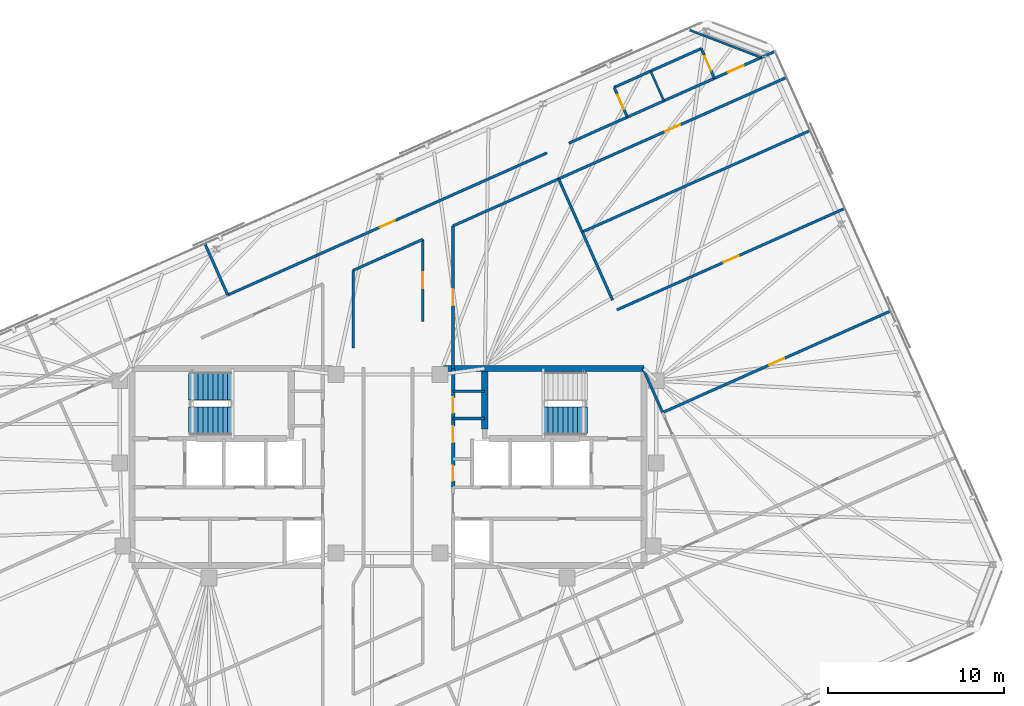
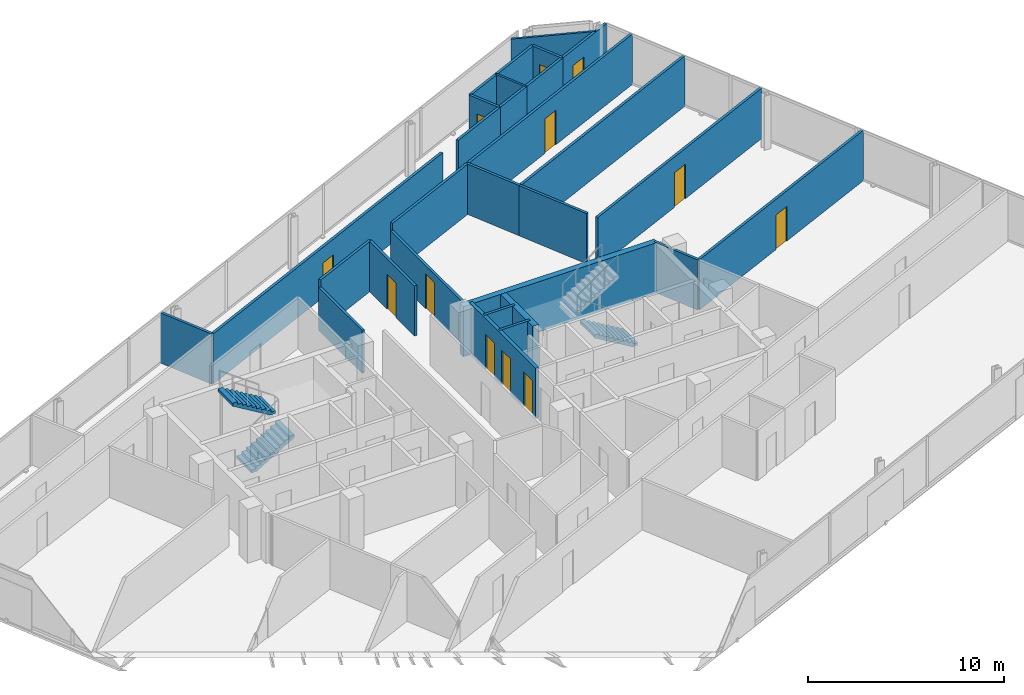
# One storey, part 16 of 18: 29 walls, 12 doors, 3 stair flights, 12 openings, 2 elements without a shape of their own.
"""IFC4 building model written with IfcOpenShell, lengths in metres."""

from ifc_helpers import new_model, si_unit, direction, frame, frame_2d, origin, place, context, subcontext, project, spatial, polyline, rectangle, outline, extrude, material, layer, layer_set, type_object, element, fill, aggregate, save


model = new_model("IFC4")

# Units and contexts
model_context = context("Model", 3, precision=1e-05, world=origin(), true_north=direction((0.0, 1.0)))
body_context = subcontext(model_context, "Body", "Model", "MODEL_VIEW")
ifc_project = project(units=[si_unit("LENGTHUNIT", "METRE"), si_unit("AREAUNIT", "SQUARE_METRE"), si_unit("VOLUMEUNIT", "CUBIC_METRE"), si_unit("PLANEANGLEUNIT", "RADIAN"), si_unit("MASSUNIT", "GRAM", prefix="KILO")], contexts=[model_context])

# Site, building, storey
site_placement = place(None, origin())
site = spatial("IfcSite", under=ifc_project, at=site_placement, CompositionType="ELEMENT")
building_placement = place(site_placement, origin())
building = spatial("IfcBuilding", under=site, at=building_placement, Name="Menara Jurai Vektor", CompositionType="ELEMENT")
storey_placement = place(building_placement, frame((0.0, 0.0, 285.25)))
storey = spatial("IfcBuildingStorey", under=building, at=storey_placement, Name="L76", CompositionType="ELEMENT", Elevation=285.25)

# Walls
ifc_material_1 = material(Name="Gypsum Fireboard Partition", Category="gypsum")
ifc_layer_1 = layer(ifc_material_1, 0.14990234375)
ifc_layer_set_1 = layer_set([ifc_layer_1], Name="Gypsum Fireboard Partition")
wall_type_1 = type_object("IfcWallType", Name="INT-WALL-CORR-150", PredefinedType="PARTITIONING", material=ifc_layer_set_1)
for number, where, z_axis, x_axis, name in (
    (1, (3.699951171875, 4.300048828125, 0.0), (0.0, 0.0, 1.0), (1.0, 0.0, 0.0), "Interior Wall IW-150 L76"),
    (2, (3.699951171875, 2.75, 0.0), (0.0, 0.0, 1.0), (1.0, 0.0, 0.0), "Interior Wall IW-150 L76"),
):
    element("IfcWall", number, at=place(storey_placement, frame(where, z_axis=z_axis, x_axis=x_axis)), inside=storey, type_object=wall_type_1, Name=name, PredefinedType="PARTITIONING", context=body_context, shape_type="SweptSolid", body=[
        extrude(rectangle(XDim=1.800048828125, YDim=0.14990234375, at=frame_2d((0.89990234375, 0.0))), origin(), (0.0, 0.0, 1.0), 3.125),
    ])
wall_1_placement = place(storey_placement, frame((10.27880859375, 18.4052734375, 0.0), z_axis=(0.0, 0.0, 1.0), x_axis=(0.913543802, 0.40674036169, 0.0)))
element("IfcWall", 3, at=wall_1_placement, inside=storey, type_object=wall_type_1, Name="Interior Wall IW-150 L76", PredefinedType="PARTITIONING", context=body_context, shape_type="SweptSolid", body=[
    extrude(rectangle(XDim=3.650146484375, YDim=0.14990234375, at=frame_2d((1.8251953125, 0.0))), origin(), (0.0, 0.0, 1.0), 3.125),
])

# Wall, opening, door
wall_2_placement = place(storey_placement, frame((18.564697265625, 22.094482421875, 0.0), z_axis=(0.0, 0.0, 1.0), x_axis=(0.913565694971, 0.406691186249, 0.0)))
wall_2 = element("IfcWall", 4, at=wall_2_placement, inside=storey, type_object=wall_type_1, Name="Interior Wall IW-150 L76", PredefinedType="PARTITIONING", context=body_context, shape_type="SweptSolid", body=[
    extrude(rectangle(XDim=3.77001953125, YDim=0.14990234375, at=frame_2d((1.885009765625, 0.0))), origin(), (0.0, 0.0, 1.0), 3.125),
])
opening_1_placement = place(wall_2_placement, frame((0.844482421875, 0.0, 0.0)))
opening_1 = element("IfcOpeningElement", 5, at=opening_1_placement, cuts=wall_2, Name="Opening D76-10", PredefinedType="OPENING", context=body_context, shape_type="SweptSolid", body=[
    extrude(rectangle(XDim=0.949951171875, YDim=2.14990234375, at=frame_2d((0.47509765625, 1.074951171875))), frame((0.0, 0.0849609375, 0.0), z_axis=(0.0, -1.0, 0.0), x_axis=(1.0, 0.0, 0.0)), (0.0, 0.0, 1.0), 0.169921875),
])
ifc_material_2 = material(Name="Solid Core Timber Fire Door", Category="wood")
door_type_1 = type_object("IfcDoorType", Name="DR-ENTRY-950", OperationType="NOTDEFINED", PredefinedType="DOOR", material=ifc_material_2)
door_1_placement = place(opening_1_placement, origin())
door_1 = element("IfcDoor", 6, at=door_1_placement, inside=storey, type_object=door_type_1, Name="Interior Door D76-10", OperationType="SINGLE_SWING_RIGHT", OverallHeight=2.14990234375, OverallWidth=0.949951171875, PredefinedType="DOOR", context=body_context, shape_type="SweptSolid", body=[
    extrude(rectangle(XDim=0.949951171875, YDim=2.14990234375, at=frame_2d((0.47509765625, 1.074951171875))), frame((0.0, 0.02490234375, 0.0), z_axis=(0.0, -1.0, 0.0), x_axis=(1.0, 0.0, 0.0)), (0.0, 0.0, 1.0), 0.050048828125),
])
fill(opening_1, door_1)

# Walls
wall_3_placement = place(storey_placement, frame((13.61328125, 19.889892578125, 0.0), z_axis=(0.0, 0.0, 1.0), x_axis=(0.913536363976, 0.406757067172, 0.0)))
element("IfcWall", 7, at=wall_3_placement, inside=storey, type_object=wall_type_1, Name="Interior Wall IW-150 L76", PredefinedType="PARTITIONING", context=body_context, shape_type="SweptSolid", body=[
    extrude(rectangle(XDim=2.27001953125, YDim=0.14990234375, at=frame_2d((1.135009765625, 0.0))), origin(), (0.0, 0.0, 1.0), 3.125),
])
wall_4_placement = place(storey_placement, frame((15.68701171875, 20.813232421875, 0.0), z_axis=(0.0, 0.0, 1.0), x_axis=(0.913542880558, 0.406742431252, 0.0)))
element("IfcWall", 8, at=wall_4_placement, inside=storey, type_object=wall_type_1, Name="Interior Wall IW-150 L76", PredefinedType="PARTITIONING", context=body_context, shape_type="SweptSolid", body=[
    extrude(rectangle(XDim=3.150146484375, YDim=0.14990234375, at=frame_2d((1.5751953125, 0.0))), origin(), (0.0, 0.0, 1.0), 3.125),
])
wall_5_placement = place(storey_placement, frame((3.69970703125, 13.702880859375, 0.0), z_axis=(0.0, 0.0, 1.0), x_axis=(0.913549363376, 0.406727870542, 0.0)))
element("IfcWall", 9, at=wall_5_placement, inside=storey, type_object=wall_type_1, Name="Interior Wall IW-150 L76", PredefinedType="PARTITIONING", context=body_context, shape_type="SweptSolid", body=[
    extrude(rectangle(XDim=6.571044921875, YDim=0.14990234375, at=frame_2d((3.28564453125, 0.0))), origin(), (0.0, 0.0, 1.0), 3.125),
])
wall_6_placement = place(storey_placement, frame((-1.979736328125, 11.174072265625, 0.0), z_axis=(0.0, 0.0, 1.0), x_axis=(0.913546598225, 0.406734081276, 0.0)))
element("IfcWall", 10, at=wall_6_placement, inside=storey, type_object=wall_type_1, Name="Interior Wall IW-150 L76", PredefinedType="PARTITIONING", context=body_context, shape_type="SweptSolid", body=[
    extrude(rectangle(XDim=4.3349609375, YDim=0.14990234375, at=frame_2d((2.16748046875, 0.0))), origin(), (0.0, 0.0, 1.0), 3.125),
])

# Wall, opening, door
wall_7_placement = place(storey_placement, frame((1.980224609375, 8.274169921875, 0.0), z_axis=(0.0, 0.0, 1.0), x_axis=(5.2356021e-05, 0.999999998629, 0.0)))
wall_7 = element("IfcWall", 11, at=wall_7_placement, inside=storey, type_object=wall_type_1, Name="Interior Wall IW-150 L76", PredefinedType="PARTITIONING", context=body_context, shape_type="SweptSolid", body=[
    extrude(rectangle(XDim=4.6630859375, YDim=0.14990234375, at=frame_2d((2.33154296875, 0.0))), origin(), (0.0, 0.0, 1.0), 3.125),
])
opening_2_placement = place(wall_7_placement, frame((1.87158203125, 0.0, 0.0)))
opening_2 = element("IfcOpeningElement", 12, at=opening_2_placement, cuts=wall_7, Name="Opening D76-35", PredefinedType="OPENING", context=body_context, shape_type="SweptSolid", body=[
    extrude(rectangle(XDim=0.919921875, YDim=2.14990234375, at=frame_2d((0.4599609375, 1.074951171875))), frame((0.0, 0.0849609375, 0.0), z_axis=(0.0, -1.0, 0.0), x_axis=(1.0, 0.0, 0.0)), (0.0, 0.0, 1.0), 0.169921875),
])
door_2_placement = place(opening_2_placement, origin())
door_2 = element("IfcDoor", 13, at=door_2_placement, inside=storey, type_object=door_type_1, Name="Interior Door D76-35", OperationType="SINGLE_SWING_LEFT", OverallHeight=2.14990234375, OverallWidth=0.919921875, PredefinedType="DOOR", context=body_context, shape_type="SweptSolid", body=[
    extrude(rectangle(XDim=0.919921875, YDim=2.14990234375, at=frame_2d((0.4599609375, 1.074951171875))), frame((0.0, 0.02490234375, 0.0), z_axis=(0.0, -1.0, 0.0), x_axis=(1.0, 0.0, 0.0)), (0.0, 0.0, 1.0), 0.050048828125),
])
fill(opening_2, door_2)

wall_8_placement = place(storey_placement, frame((-9.109375, 9.773193359375, 0.0), z_axis=(0.0, 0.0, 1.0), x_axis=(0.913545361298, 0.406736859469, 0.0)))
wall_8 = element("IfcWall", 14, at=wall_8_placement, inside=storey, type_object=wall_type_1, Name="Interior Wall IW-150 L76", PredefinedType="PARTITIONING", context=body_context, shape_type="SweptSolid", body=[
    extrude(rectangle(XDim=19.87109375, YDim=0.14990234375, at=frame_2d((9.935546875, 0.0))), origin(), (0.0, 0.0, 1.0), 3.125),
])
opening_3_placement = place(wall_8_placement, frame((9.4755859375, 0.0, 0.0)))
opening_3 = element("IfcOpeningElement", 15, at=opening_3_placement, cuts=wall_8, Name="Opening D76-38", PredefinedType="OPENING", context=body_context, shape_type="SweptSolid", body=[
    extrude(rectangle(XDim=0.919921875, YDim=2.14990234375, at=frame_2d((0.4599609375, 1.074951171875))), frame((0.0, 0.0849609375, 0.0), z_axis=(0.0, -1.0, 0.0), x_axis=(1.0, 0.0, 0.0)), (0.0, 0.0, 1.0), 0.169921875),
])
door_3_placement = place(opening_3_placement, origin())
door_3 = element("IfcDoor", 16, at=door_3_placement, inside=storey, type_object=door_type_1, Name="Interior Door D76-38", OperationType="SINGLE_SWING_RIGHT", OverallHeight=2.14990234375, OverallWidth=0.919921875, PredefinedType="DOOR", context=body_context, shape_type="SweptSolid", body=[
    extrude(rectangle(XDim=0.919921875, YDim=2.14990234375, at=frame_2d((0.4599609375, 1.074951171875))), frame((0.0, 0.02490234375, 0.0), z_axis=(0.0, -1.0, 0.0), x_axis=(1.0, 0.0, 0.0)), (0.0, 0.0, 1.0), 0.050048828125),
])
fill(opening_3, door_3)

wall_9_placement = place(storey_placement, frame((9.70263671875, 16.37548828125, 0.0), z_axis=(0.0, 0.0, 1.0), x_axis=(0.913544622417, 0.406738519018, 0.0)))
wall_9 = element("IfcWall", 17, at=wall_9_placement, inside=storey, type_object=wall_type_1, Name="Interior Wall IW-150 L76", PredefinedType="PARTITIONING", context=body_context, shape_type="SweptSolid", body=[
    extrude(rectangle(XDim=14.192138671875, YDim=0.14990234375, at=frame_2d((7.09619140625, 0.0))), origin(), (0.0, 0.0, 1.0), 3.125),
])
opening_4_placement = place(wall_9_placement, frame((6.635986328125, 0.0, 0.0)))
opening_4 = element("IfcOpeningElement", 18, at=opening_4_placement, cuts=wall_9, Name="Opening D76-42", PredefinedType="OPENING", context=body_context, shape_type="SweptSolid", body=[
    extrude(rectangle(XDim=0.919921875, YDim=2.14990234375, at=frame_2d((0.4599609375, 1.074951171875))), frame((0.0, 0.0849609375, 0.0), z_axis=(0.0, -1.0, 0.0), x_axis=(1.0, 0.0, 0.0)), (0.0, 0.0, 1.0), 0.169921875),
])
door_4_placement = place(opening_4_placement, origin())
door_4 = element("IfcDoor", 19, at=door_4_placement, inside=storey, type_object=door_type_1, Name="Interior Door D76-42", OperationType="SINGLE_SWING_RIGHT", OverallHeight=2.14990234375, OverallWidth=0.919921875, PredefinedType="DOOR", context=body_context, shape_type="SweptSolid", body=[
    extrude(rectangle(XDim=0.919921875, YDim=2.14990234375, at=frame_2d((0.4599609375, 1.074951171875))), frame((0.0, 0.02490234375, 0.0), z_axis=(0.0, -1.0, 0.0), x_axis=(1.0, 0.0, 0.0)), (0.0, 0.0, 1.0), 0.050048828125),
])
fill(opening_4, door_4)

wall_10_placement = place(storey_placement, frame((13.61328125, 19.889892578125, 0.0), z_axis=(0.0, 0.0, 1.0), x_axis=(-0.406701600856, 0.913561058639, 0.0)))
wall_10 = element("IfcWall", 20, at=wall_10_placement, inside=storey, type_object=wall_type_1, Name="Interior Wall IW-150 L76", PredefinedType="PARTITIONING", context=body_context, shape_type="SweptSolid", body=[
    extrude(rectangle(XDim=1.85009765625, YDim=0.14990234375, at=frame_2d((0.925048828125, 0.0))), origin(), (0.0, 0.0, 1.0), 3.125),
])
opening_5_placement = place(wall_10_placement, frame((0.485107421875, 0.0, 0.0)))
opening_5 = element("IfcOpeningElement", 21, at=opening_5_placement, cuts=wall_10, Name="Opening D76-11", PredefinedType="OPENING", context=body_context, shape_type="SweptSolid", body=[
    extrude(rectangle(XDim=0.8798828125, YDim=2.14990234375, at=frame_2d((0.43994140625, 1.074951171875))), frame((0.0, 0.0849609375, 0.0), z_axis=(0.0, -1.0, 0.0), x_axis=(1.0, 0.0, 0.0)), (0.0, 0.0, 1.0), 0.169921875),
])
ifc_material_3 = material(Name="Moisture-Resistant Timber Door", Category="wood")
door_type_2 = type_object("IfcDoorType", Name="DR-BATH-880", OperationType="NOTDEFINED", PredefinedType="DOOR", material=ifc_material_3)
door_5_placement = place(opening_5_placement, origin())
door_5 = element("IfcDoor", 22, at=door_5_placement, inside=storey, type_object=door_type_2, Name="Interior Door D76-11", OperationType="SINGLE_SWING_LEFT", OverallHeight=2.14990234375, OverallWidth=0.8798828125, PredefinedType="DOOR", context=body_context, shape_type="SweptSolid", body=[
    extrude(rectangle(XDim=0.8798828125, YDim=2.14990234375, at=frame_2d((0.43994140625, 1.074951171875))), frame((0.0, 0.02490234375, 0.0), z_axis=(0.0, -1.0, 0.0), x_axis=(1.0, 0.0, 0.0)), (0.0, 0.0, 1.0), 0.050048828125),
])
fill(opening_5, door_5)

# Walls
wall_11_placement = place(storey_placement, frame((12.86083984375, 21.580078125, 0.0), z_axis=(0.0, 0.0, 1.0), x_axis=(0.913536363976, 0.406757067172, 0.0)))
element("IfcWall", 23, at=wall_11_placement, inside=storey, type_object=wall_type_1, Name="Interior Wall IW-150 L76", PredefinedType="PARTITIONING", context=body_context, shape_type="SweptSolid", body=[
    extrude(rectangle(XDim=2.27001953125, YDim=0.14990234375, at=frame_2d((1.135009765625, 0.0))), origin(), (0.0, 0.0, 1.0), 3.125),
])
wall_12_placement = place(storey_placement, frame((14.9345703125, 22.50341796875, 0.0), z_axis=(0.0, 0.0, 1.0), x_axis=(0.913571677955, 0.406677746181, 0.0)))
element("IfcWall", 24, at=wall_12_placement, inside=storey, type_object=wall_type_1, Name="Interior Wall IW-150 L76", PredefinedType="PARTITIONING", context=body_context, shape_type="SweptSolid", body=[
    extrude(rectangle(XDim=3.14990234375, YDim=0.14990234375, at=frame_2d((1.574951171875, 0.0))), origin(), (0.0, 0.0, 1.0), 3.125),
])

# Wall, opening, door
wall_13_placement = place(storey_placement, frame((18.564697265625, 22.094482421875, 0.0), z_axis=(0.0, 0.0, 1.0), x_axis=(-0.406750635596, 0.913539227643, 0.0)))
wall_13 = element("IfcWall", 25, at=wall_13_placement, inside=storey, type_object=wall_type_1, Name="Interior Wall IW-150 L76", PredefinedType="PARTITIONING", context=body_context, shape_type="SweptSolid", body=[
    extrude(rectangle(XDim=1.849853515625, YDim=0.14990234375, at=frame_2d((0.9248046875, 0.0))), origin(), (0.0, 0.0, 1.0), 3.125),
])
opening_6_placement = place(wall_13_placement, frame((0.47509765625, 0.0, 0.0)))
opening_6 = element("IfcOpeningElement", 26, at=opening_6_placement, cuts=wall_13, Name="Opening D76-12", PredefinedType="OPENING", context=body_context, shape_type="SweptSolid", body=[
    extrude(rectangle(XDim=0.89990234375, YDim=2.14990234375, at=frame_2d((0.449951171875, 1.074951171875))), frame((0.0, 0.0849609375, 0.0), z_axis=(0.0, -1.0, 0.0), x_axis=(1.0, 0.0, 0.0)), (0.0, 0.0, 1.0), 0.169921875),
])
ifc_material_4 = material(Name="Acoustic Timber Interior Door", Category="wood")
door_type_3 = type_object("IfcDoorType", Name="DR-ROOM-900", OperationType="NOTDEFINED", PredefinedType="DOOR", material=ifc_material_4)
door_6_placement = place(opening_6_placement, origin())
door_6 = element("IfcDoor", 27, at=door_6_placement, inside=storey, type_object=door_type_3, Name="Interior Door D76-12", OperationType="SINGLE_SWING_RIGHT", OverallHeight=2.14990234375, OverallWidth=0.89990234375, PredefinedType="DOOR", context=body_context, shape_type="SweptSolid", body=[
    extrude(rectangle(XDim=0.89990234375, YDim=2.14990234375, at=frame_2d((0.449951171875, 1.074951171875))), frame((0.0, 0.02490234375, 0.0), z_axis=(0.0, -1.0, 0.0), x_axis=(1.0, 0.0, 0.0)), (0.0, 0.0, 1.0), 0.050048828125),
])
fill(opening_6, door_6)

# Walls
wall_14_placement = place(storey_placement, frame((15.61572265625, 3.094482421875, 0.0), z_axis=(0.0, 0.0, 1.0), x_axis=(-0.406782551453, 0.913525016534, 0.0)))
element("IfcWall", 28, at=wall_14_placement, inside=storey, type_object=wall_type_1, Name="Interior Wall IW-150 L76", PredefinedType="PARTITIONING", context=body_context, shape_type="SweptSolid", body=[
    extrude(rectangle(XDim=2.742919921875, YDim=0.14990234375, at=frame_2d((1.37158203125, 0.0))), origin(), (0.0, 0.0, 1.0), 3.125),
])
wall_15_placement = place(storey_placement, frame((12.773193359375, 9.47900390625, 0.0), z_axis=(0.0, 0.0, 1.0), x_axis=(-0.406762672331, 0.913533868227, 0.0)))
element("IfcWall", 29, at=wall_15_placement, inside=storey, type_object=wall_type_1, Name="Interior Wall IW-150 L76", PredefinedType="PARTITIONING", context=body_context, shape_type="SweptSolid", body=[
    extrude(rectangle(XDim=4.245361328125, YDim=0.14990234375, at=frame_2d((2.12255859375, 0.0))), origin(), (0.0, 0.0, 1.0), 3.125),
])
wall_16_placement = place(storey_placement, frame((11.04638671875, 13.357177734375, 0.0), z_axis=(0.0, 0.0, 1.0), x_axis=(-0.406714303965, 0.913555403328, 0.0)))
element("IfcWall", 30, at=wall_16_placement, inside=storey, type_object=wall_type_1, Name="Interior Wall IW-150 L76", PredefinedType="PARTITIONING", context=body_context, shape_type="SweptSolid", body=[
    extrude(rectangle(XDim=3.303955078125, YDim=0.14990234375, at=frame_2d((1.65185546875, 0.0))), origin(), (0.0, 0.0, 1.0), 3.125),
])
wall_17_placement = place(storey_placement, frame((-9.109375, 9.773193359375, 0.0), z_axis=(0.0, 0.0, 1.0), x_axis=(-0.406698002142, 0.913562660716, 0.0)))
element("IfcWall", 31, at=wall_17_placement, inside=storey, type_object=wall_type_1, Name="Interior Wall IW-150 L76", PredefinedType="PARTITIONING", context=body_context, shape_type="SweptSolid", body=[
    extrude(rectangle(XDim=3.19775390625, YDim=0.14990234375, at=frame_2d((1.598876953125, 0.0))), origin(), (0.0, 0.0, 1.0), 3.125),
])

# Wall, opening, door
wall_18_placement = place(storey_placement, frame((15.61572265625, 3.094482421875, 0.0), z_axis=(0.0, 0.0, 1.0), x_axis=(0.913551014388, 0.406724162191, 0.0)))
wall_18 = element("IfcWall", 32, at=wall_18_placement, inside=storey, type_object=wall_type_1, Name="Interior Wall IW-150 L76", PredefinedType="PARTITIONING", context=body_context, shape_type="SweptSolid", body=[
    extrude(rectangle(XDim=14.19189453125, YDim=0.14990234375, at=frame_2d((7.095947265625, 0.0))), origin(), (0.0, 0.0, 1.0), 3.125),
])
opening_7_placement = place(wall_18_placement, frame((6.635986328125, 0.0, 0.0)))
opening_7 = element("IfcOpeningElement", 33, at=opening_7_placement, cuts=wall_18, Name="Opening D76-40", PredefinedType="OPENING", context=body_context, shape_type="SweptSolid", body=[
    extrude(rectangle(XDim=0.919921875, YDim=2.14990234375, at=frame_2d((0.4599609375, 1.074951171875))), frame((0.0, 0.0849609375, 0.0), z_axis=(0.0, -1.0, 0.0), x_axis=(1.0, 0.0, 0.0)), (0.0, 0.0, 1.0), 0.169921875),
])
door_7_placement = place(opening_7_placement, origin())
door_7 = element("IfcDoor", 34, at=door_7_placement, inside=storey, type_object=door_type_1, Name="Interior Door D76-40", OperationType="SINGLE_SWING_RIGHT", OverallHeight=2.14990234375, OverallWidth=0.919921875, PredefinedType="DOOR", context=body_context, shape_type="SweptSolid", body=[
    extrude(rectangle(XDim=0.919921875, YDim=2.14990234375, at=frame_2d((0.4599609375, 1.074951171875))), frame((0.0, 0.02490234375, 0.0), z_axis=(0.0, -1.0, 0.0), x_axis=(1.0, 0.0, 0.0)), (0.0, 0.0, 1.0), 0.050048828125),
])
fill(opening_7, door_7)

wall_19_placement = place(storey_placement, frame((13.017578125, 8.93017578125, 0.0), z_axis=(0.0, 0.0, 1.0), x_axis=(0.913551014388, 0.406724162191, 0.0)))
wall_19 = element("IfcWall", 35, at=wall_19_placement, inside=storey, type_object=wall_type_1, Name="Interior Wall IW-150 L76", PredefinedType="PARTITIONING", context=body_context, shape_type="SweptSolid", body=[
    extrude(rectangle(XDim=14.19189453125, YDim=0.14990234375, at=frame_2d((7.095947265625, 0.0))), origin(), (0.0, 0.0, 1.0), 3.125),
])
opening_8_placement = place(wall_19_placement, frame((6.635986328125, 0.0, 0.0)))
opening_8 = element("IfcOpeningElement", 36, at=opening_8_placement, cuts=wall_19, Name="Opening D76-41", PredefinedType="OPENING", context=body_context, shape_type="SweptSolid", body=[
    extrude(rectangle(XDim=0.919921875, YDim=2.14990234375, at=frame_2d((0.4599609375, 1.074951171875))), frame((0.0, 0.0849609375, 0.0), z_axis=(0.0, -1.0, 0.0), x_axis=(1.0, 0.0, 0.0)), (0.0, 0.0, 1.0), 0.169921875),
])
door_8_placement = place(opening_8_placement, origin())
door_8 = element("IfcDoor", 37, at=door_8_placement, inside=storey, type_object=door_type_1, Name="Interior Door D76-41", OperationType="SINGLE_SWING_LEFT", OverallHeight=2.14990234375, OverallWidth=0.919921875, PredefinedType="DOOR", context=body_context, shape_type="SweptSolid", body=[
    extrude(rectangle(XDim=0.919921875, YDim=2.14990234375, at=frame_2d((0.4599609375, 1.074951171875))), frame((0.0, 0.02490234375, 0.0), z_axis=(0.0, -1.0, 0.0), x_axis=(1.0, 0.0, 0.0)), (0.0, 0.0, 1.0), 0.050048828125),
])
fill(opening_8, door_8)

# Wall
wall_20_placement = place(storey_placement, frame((11.04638671875, 13.357177734375, 0.0), z_axis=(0.0, 0.0, 1.0), x_axis=(0.913553860075, 0.406717770379, 0.0)))
element("IfcWall", 38, at=wall_20_placement, inside=storey, type_object=wall_type_1, Name="Interior Wall IW-150 L76", PredefinedType="PARTITIONING", context=body_context, shape_type="SweptSolid", body=[
    extrude(rectangle(XDim=14.192138671875, YDim=0.14990234375, at=frame_2d((7.09619140625, 0.0))), origin(), (0.0, 0.0, 1.0), 3.125),
])

# Wall, opening, door
ifc_layer_2 = layer(ifc_material_1, 0.14990234375)
ifc_layer_set_2 = layer_set([ifc_layer_2], Name="Gypsum Fireboard Partition")
wall_type_2 = type_object("IfcWallType", Name="INT-WALL-CORR-150-H1", PredefinedType="PARTITIONING", material=ifc_layer_set_2)
wall_21_placement = place(storey_placement, frame((3.7001953125, 5.6005859375, 0.0), z_axis=(0.0, 0.0, 1.0), x_axis=(-6.0264561e-05, 0.999999998184, 0.0)))
wall_21 = element("IfcWall", 39, at=wall_21_placement, inside=storey, type_object=wall_type_2, Name="Interior Wall IW-150 L76", PredefinedType="PARTITIONING", context=body_context, shape_type="SweptSolid", body=[
    extrude(rectangle(XDim=8.102294921875, YDim=0.14990234375, at=frame_2d((4.05126953125, 0.0))), origin(), (0.0, 0.0, 1.0), 2.675048828125),
])
opening_9_placement = place(wall_21_placement, frame((3.591064453125, 0.0, 0.0)))
opening_9 = element("IfcOpeningElement", 40, at=opening_9_placement, cuts=wall_21, Name="Opening D76-33", PredefinedType="OPENING", context=body_context, shape_type="SweptSolid", body=[
    extrude(rectangle(XDim=0.919921875, YDim=2.14990234375, at=frame_2d((0.4599609375, 1.074951171875))), frame((0.0, 0.0849609375, 0.0), z_axis=(0.0, -1.0, 0.0), x_axis=(1.0, 0.0, 0.0)), (0.0, 0.0, 1.0), 0.169921875),
])
door_9_placement = place(opening_9_placement, origin())
door_9 = element("IfcDoor", 41, at=door_9_placement, inside=storey, type_object=door_type_1, Name="Interior Door D76-33", OperationType="SINGLE_SWING_LEFT", OverallHeight=2.14990234375, OverallWidth=0.919921875, PredefinedType="DOOR", context=body_context, shape_type="SweptSolid", body=[
    extrude(rectangle(XDim=0.919921875, YDim=2.14990234375, at=frame_2d((0.4599609375, 1.074951171875))), frame((0.0, 0.02490234375, 0.0), z_axis=(0.0, -1.0, 0.0), x_axis=(1.0, 0.0, 0.0)), (0.0, 0.0, 1.0), 0.050048828125),
])
fill(opening_9, door_9)

# Walls
wall_22_placement = place(storey_placement, frame((-1.979736328125, 6.74853515625, 0.0), z_axis=(0.0, 0.0, 1.0), x_axis=(0.0, 1.0, 0.0)))
element("IfcWall", 42, at=wall_22_placement, inside=storey, type_object=wall_type_2, Name="Interior Wall IW-150 L76", PredefinedType="PARTITIONING", context=body_context, shape_type="SweptSolid", body=[
    extrude(rectangle(XDim=4.425537109375, YDim=0.14990234375, at=frame_2d((2.212890625, 0.0))), origin(), (0.0, 0.0, 1.0), 2.675048828125),
])
ifc_material_5 = material(Name="Gypsum Acoustic Stud Partition", Category="gypsum")
ifc_layer_3 = layer(ifc_material_5, 0.1201171875)
ifc_layer_set_3 = layer_set([ifc_layer_3], Name="Gypsum Acoustic Stud Partition")
wall_type_3 = type_object("IfcWallType", Name="INT-WALL-PART-120", PredefinedType="PARTITIONING", material=ifc_layer_set_3)
wall_23_placement = place(storey_placement, frame((15.68701171875, 20.813232421875, 0.0), z_axis=(0.0, 0.0, 1.0), x_axis=(-0.406701600856, 0.913561058639, 0.0)))
element("IfcWall", 43, at=wall_23_placement, inside=storey, type_object=wall_type_3, Name="Interior Wall IW-120 L76", PredefinedType="PARTITIONING", context=body_context, shape_type="SweptSolid", body=[
    extrude(rectangle(XDim=1.85009765625, YDim=0.1201171875, at=frame_2d((0.925048828125, 0.0))), origin(), (0.0, 0.0, 1.0), 3.125),
])
wall_24_placement = place(storey_placement, frame((21.216796875, 23.275146484375, 0.0), z_axis=(0.0, 0.0, 1.0), x_axis=(-0.933583889907, 0.358358926924, 0.0)))
element("IfcWall", 44, at=wall_24_placement, inside=storey, type_object=wall_type_3, Name="Interior Wall IW-120 L76", PredefinedType="PARTITIONING", context=body_context, shape_type="SweptSolid", body=[
    extrude(rectangle(XDim=4.353271484375, YDim=0.1201171875, at=frame_2d((2.1767578125, 0.0))), origin(), (0.0, 0.0, 1.0), 3.125),
])

# Wall, openings, doors
ifc_material_6 = material(Name="Concrete C40/50", Category="concrete")
ifc_layer_4 = layer(ifc_material_6, 0.199951171875)
ifc_layer_set_4 = layer_set([ifc_layer_4], Name="Concrete C40/50")
wall_type_4 = type_object("IfcWallType", Name="INT-WALL-SHAFT-200", PredefinedType="STANDARD", material=ifc_layer_set_4)
wall_25_placement = place(storey_placement, frame((3.699951171875, -1.14990234375, 0.0), z_axis=(0.0, 0.0, 1.0), x_axis=(0.0, 1.0, 0.0)))
wall_25 = element("IfcWall", 45, at=wall_25_placement, inside=storey, type_object=wall_type_4, Name="Interior Wall IW-200 L76", PredefinedType="STANDARD", context=body_context, shape_type="SweptSolid", body=[
    extrude(rectangle(XDim=6.75, YDim=0.199951171875, at=frame_2d((3.375, 0.0))), origin(), (0.0, 0.0, 1.0), 3.125),
])
opening_10_placement = place(wall_25_placement, frame((0.35009765625, 0.0, 0.0)))
opening_10 = element("IfcOpeningElement", 46, at=opening_10_placement, cuts=wall_25, Name="Opening D76-06", PredefinedType="OPENING", context=body_context, shape_type="SweptSolid", body=[
    extrude(rectangle(XDim=0.8798828125, YDim=2.14990234375, at=frame_2d((0.43994140625, 1.074951171875))), frame((0.0, 0.10986328125, 0.0), z_axis=(0.0, -1.0, 0.0), x_axis=(1.0, 0.0, 0.0)), (0.0, 0.0, 1.0), 0.219970703125),
])
opening_11_placement = place(wall_25_placement, frame((2.550048828125, 0.0, 0.0)))
opening_11 = element("IfcOpeningElement", 47, at=opening_11_placement, cuts=wall_25, Name="Opening D76-07", PredefinedType="OPENING", context=body_context, shape_type="SweptSolid", body=[
    extrude(rectangle(XDim=0.919921875, YDim=2.14990234375, at=frame_2d((0.4599609375, 1.074951171875))), frame((0.0, 0.10986328125, 0.0), z_axis=(0.0, -1.0, 0.0), x_axis=(1.0, 0.0, 0.0)), (0.0, 0.0, 1.0), 0.219970703125),
])
opening_12_placement = place(wall_25_placement, frame((4.219970703125, 0.0, 0.0)))
opening_12 = element("IfcOpeningElement", 48, at=opening_12_placement, cuts=wall_25, Name="Opening D76-08", PredefinedType="OPENING", context=body_context, shape_type="SweptSolid", body=[
    extrude(rectangle(XDim=0.8798828125, YDim=2.14990234375, at=frame_2d((0.43994140625, 1.074951171875))), frame((0.0, 0.10986328125, 0.0), z_axis=(0.0, -1.0, 0.0), x_axis=(1.0, 0.0, 0.0)), (0.0, 0.0, 1.0), 0.219970703125),
])
door_10_placement = place(opening_10_placement, origin())
door_10 = element("IfcDoor", 49, at=door_10_placement, inside=storey, type_object=door_type_1, Name="Interior Door D76-06", OperationType="SINGLE_SWING_RIGHT", OverallHeight=2.14990234375, OverallWidth=0.8798828125, PredefinedType="DOOR", context=body_context, shape_type="SweptSolid", body=[
    extrude(rectangle(XDim=0.8798828125, YDim=2.14990234375, at=frame_2d((0.43994140625, 1.074951171875))), frame((0.0, 0.02490234375, 0.0), z_axis=(0.0, -1.0, 0.0), x_axis=(1.0, 0.0, 0.0)), (0.0, 0.0, 1.0), 0.050048828125),
])
fill(opening_10, door_10)
door_11_placement = place(opening_11_placement, origin())
door_11 = element("IfcDoor", 50, at=door_11_placement, inside=storey, type_object=door_type_1, Name="Interior Door D76-07", OperationType="SINGLE_SWING_RIGHT", OverallHeight=2.14990234375, OverallWidth=0.919921875, PredefinedType="DOOR", context=body_context, shape_type="SweptSolid", body=[
    extrude(rectangle(XDim=0.919921875, YDim=2.14990234375, at=frame_2d((0.4599609375, 1.074951171875))), frame((0.0, 0.02490234375, 0.0), z_axis=(0.0, -1.0, 0.0), x_axis=(1.0, 0.0, 0.0)), (0.0, 0.0, 1.0), 0.050048828125),
])
fill(opening_11, door_11)
door_12_placement = place(opening_12_placement, origin())
door_12 = element("IfcDoor", 51, at=door_12_placement, inside=storey, type_object=door_type_1, Name="Interior Door D76-08", OperationType="SINGLE_SWING_RIGHT", OverallHeight=2.14990234375, OverallWidth=0.8798828125, PredefinedType="DOOR", context=body_context, shape_type="SweptSolid", body=[
    extrude(rectangle(XDim=0.8798828125, YDim=2.14990234375, at=frame_2d((0.43994140625, 1.074951171875))), frame((0.0, 0.02490234375, 0.0), z_axis=(0.0, -1.0, 0.0), x_axis=(1.0, 0.0, 0.0)), (0.0, 0.0, 1.0), 0.050048828125),
])
fill(opening_12, door_12)

# Walls
ifc_material_7 = material(Name="Concrete C50/60", Category="concrete")
ifc_layer_5 = layer(ifc_material_7, 0.35009765625)
ifc_layer_set_5 = layer_set([ifc_layer_5], Name="Concrete C50/60")
wall_type_5 = type_object("IfcWallType", Name="STR-WALL-CORE350", PredefinedType="SHEAR", material=ifc_layer_set_5)
wall_26_placement = place(storey_placement, frame((3.14990234375, 5.60009765625, 0.0), z_axis=(0.0, 0.0, 1.0), x_axis=(1.0, 0.0, 0.0)))
element("IfcWall", 52, at=wall_26_placement, inside=storey, type_object=wall_type_5, Name="Core Shear Wall CW-E-N L76", PredefinedType="SHEAR", context=body_context, shape_type="SweptSolid", body=[
    extrude(rectangle(XDim=11.41015625, YDim=0.35009765625, at=frame_2d((5.705078125, 0.0))), origin(), (0.0, 0.0, 1.0), 3.125),
])
wall_27_placement = place(storey_placement, frame((5.5, 2.14990234375, 0.0), z_axis=(0.0, 0.0, 1.0), x_axis=(0.0, 1.0, 0.0)))
element("IfcWall", 53, at=wall_27_placement, inside=storey, type_object=wall_type_5, Name="Core Shear Wall CW-E-ST L76", PredefinedType="SHEAR", context=body_context, shape_type="SweptSolid", body=[
    extrude(rectangle(XDim=3.275146484375, YDim=0.35009765625, at=frame_2d((1.6376953125, 0.0))), origin(), (0.0, 0.0, 1.0), 3.125),
])

# Stair, stair flights
stair_type = type_object("IfcStairType", Name="STAIR-DOGLEG-1500", PredefinedType="HALF_TURN_STAIR", material=ifc_material_6)
stair_1_placement = place(storey_placement, origin())
stair_1 = element("IfcStair", 54, at=stair_1_placement, inside=storey, type_object=stair_type, Name="Protected Exit Stair ST1 L76", PredefinedType="HALF_TURN_STAIR")
stair_flight_type = type_object("IfcStairFlightType", Name="STAIR-FLIGHT-1500", PredefinedType="STRAIGHT", material=ifc_material_6)
stair_flight_1_placement = place(storey_placement, frame((-11.35009765625, 2.64990234375, 0.0), z_axis=(0.0, 0.0, 1.0), x_axis=(1.0, 0.0, 0.0)))
stair_flight_1 = element("IfcStairFlight", 55, at=stair_flight_1_placement, type_object=stair_flight_type, Name="ST1 flight 1", NumberOfRisers=10, NumberOfTreads=9, PredefinedType="STRAIGHT", RiserHeight=0.1675, TreadLength=0.28, context=body_context, shape_type="SweptSolid", body=[
    extrude(outline(polyline([(0.0, 0.0), (0.0, 0.16748046875), (0.280029296875, 0.16748046875), (0.280029296875, 0.3349609375), (0.56005859375, 0.3349609375), (0.56005859375, 0.50244140625), (0.840087890625, 0.50244140625), (0.840087890625, 0.669921875), (1.1201171875, 0.669921875), (1.1201171875, 0.83740234375), (1.39990234375, 0.83740234375), (1.39990234375, 1.0048828125), (1.679931640625, 1.0048828125), (1.679931640625, 1.172607421875), (1.9599609375, 1.172607421875), (1.9599609375, 1.340087890625), (2.239990234375, 1.340087890625), (2.239990234375, 1.507568359375), (2.52001953125, 1.507568359375), (2.52001953125, 1.675048828125), (2.52001953125, 1.321044921875), (0.3115234375, 0.0), (0.0, 0.0)])), frame((0.0, 0.75, 0.0), z_axis=(0.0, -1.0, 0.0), x_axis=(1.0, 0.0, 0.0)), (0.0, 0.0, 1.0), 1.5),
])
stair_flight_2_placement = place(storey_placement, frame((-8.830078125, 4.550048828125, 1.675048828125), z_axis=(0.0, 0.0, 1.0), x_axis=(-1.0, 0.0, 0.0)))
stair_flight_2 = element("IfcStairFlight", 56, at=stair_flight_2_placement, type_object=stair_flight_type, Name="ST1 flight 2", NumberOfRisers=10, NumberOfTreads=9, PredefinedType="STRAIGHT", RiserHeight=0.1675, TreadLength=0.28, context=body_context, shape_type="SweptSolid", body=[
    extrude(outline(polyline([(0.0, 0.0), (0.0, 0.16748046875), (0.280029296875, 0.16748046875), (0.280029296875, 0.3349609375), (0.56005859375, 0.3349609375), (0.56005859375, 0.50244140625), (0.840087890625, 0.50244140625), (0.840087890625, 0.669921875), (1.1201171875, 0.669921875), (1.1201171875, 0.83740234375), (1.39990234375, 0.83740234375), (1.39990234375, 1.0048828125), (1.679931640625, 1.0048828125), (1.679931640625, 1.172607421875), (1.9599609375, 1.172607421875), (1.9599609375, 1.340087890625), (2.239990234375, 1.340087890625), (2.239990234375, 1.507568359375), (2.52001953125, 1.507568359375), (2.52001953125, 1.675048828125), (2.52001953125, 1.321044921875), (0.3115234375, 0.0), (0.0, 0.0)])), frame((0.0, 0.75, 0.0), z_axis=(0.0, -1.0, 0.0), x_axis=(1.0, 0.0, 0.0)), (0.0, 0.0, 1.0), 1.5),
])
aggregate(stair_1, [stair_flight_1, stair_flight_2])

# Stair, stair flight
stair_2_placement = place(storey_placement, origin())
stair_2 = element("IfcStair", 57, at=stair_2_placement, inside=storey, type_object=stair_type, Name="Protected Exit Stair ST2 L76", PredefinedType="HALF_TURN_STAIR")
stair_flight_3_placement = place(storey_placement, frame((11.35009765625, 2.64990234375, 0.0), z_axis=(0.0, 0.0, 1.0), x_axis=(-1.0, 0.0, 0.0)))
stair_flight_3 = element("IfcStairFlight", 58, at=stair_flight_3_placement, type_object=stair_flight_type, Name="ST2 flight 1", NumberOfRisers=10, NumberOfTreads=9, PredefinedType="STRAIGHT", RiserHeight=0.1675, TreadLength=0.28, context=body_context, shape_type="SweptSolid", body=[
    extrude(outline(polyline([(0.0, 0.0), (0.0, 0.16748046875), (0.280029296875, 0.16748046875), (0.280029296875, 0.3349609375), (0.56005859375, 0.3349609375), (0.56005859375, 0.50244140625), (0.840087890625, 0.50244140625), (0.840087890625, 0.669921875), (1.1201171875, 0.669921875), (1.1201171875, 0.83740234375), (1.39990234375, 0.83740234375), (1.39990234375, 1.0048828125), (1.679931640625, 1.0048828125), (1.679931640625, 1.172607421875), (1.9599609375, 1.172607421875), (1.9599609375, 1.340087890625), (2.239990234375, 1.340087890625), (2.239990234375, 1.507568359375), (2.52001953125, 1.507568359375), (2.52001953125, 1.675048828125), (2.52001953125, 1.321044921875), (0.3115234375, 0.0), (0.0, 0.0)])), frame((0.0, 0.75, 0.0), z_axis=(0.0, -1.0, 0.0), x_axis=(1.0, 0.0, 0.0)), (0.0, 0.0, 1.0), 1.5),
])
aggregate(stair_2, [stair_flight_3])

save(model, "model.ifc")
